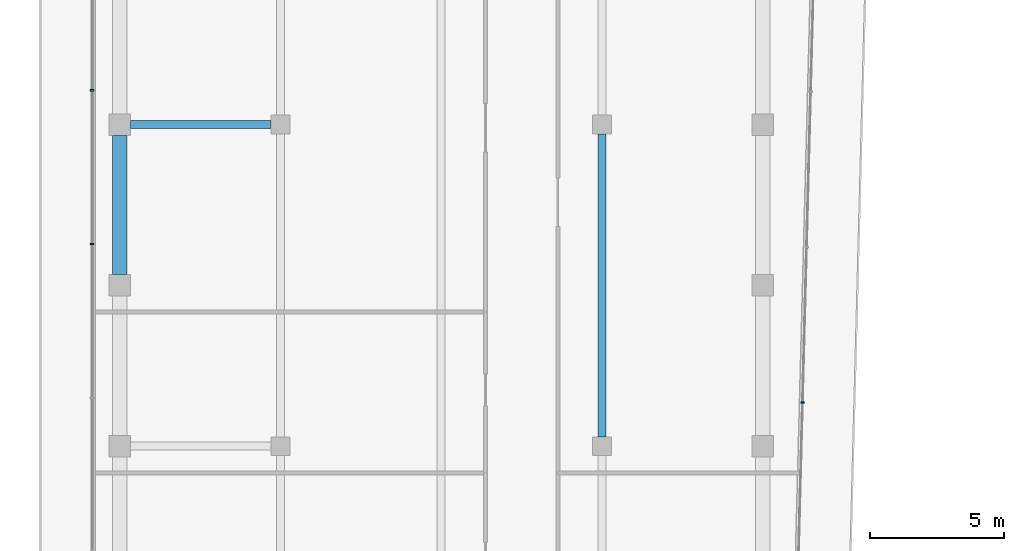
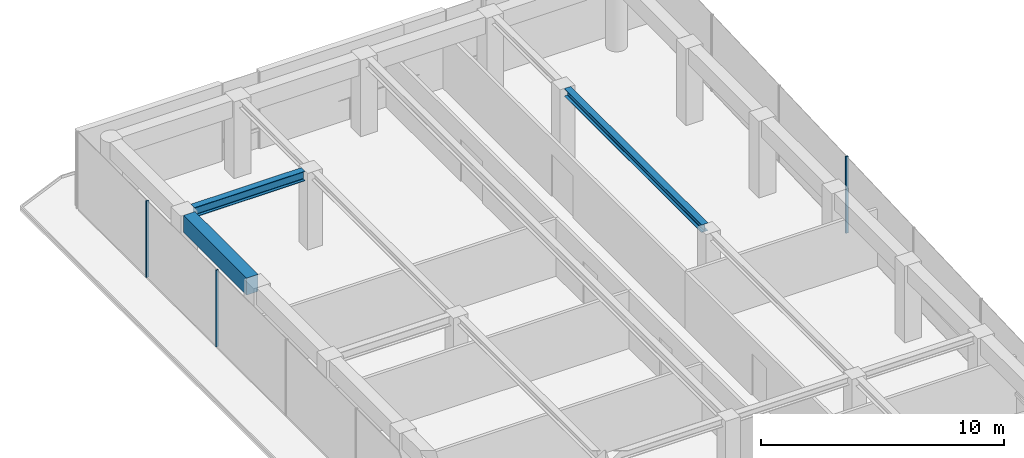
# One storey, part 11 of 19: 3 beams, 3 members, 2 elements without a shape of their own.
"""IFC4 building model written with IfcOpenShell, lengths in metres."""

from ifc_helpers import new_model, si_unit, direction, frame, origin, origin_2d, place, context, subcontext, project, spatial, rectangle, i_section, extrude, material, layer, layer_set, material_profile, profile_set, type_object, element, aggregate, save


model = new_model("IFC4")

# Units and contexts
model_context = context("Model", 3, precision=1e-05, world=origin(), true_north=direction((0.0, 1.0)))
body_context = subcontext(model_context, "Body", "Model", "MODEL_VIEW")
ifc_project = project(units=[si_unit("LENGTHUNIT", "METRE"), si_unit("AREAUNIT", "SQUARE_METRE"), si_unit("VOLUMEUNIT", "CUBIC_METRE"), si_unit("PLANEANGLEUNIT", "RADIAN"), si_unit("MASSUNIT", "GRAM", prefix="KILO")], contexts=[model_context])

# Site, building, storey
site_placement = place(None, origin())
site = spatial("IfcSite", under=ifc_project, at=site_placement, CompositionType="ELEMENT")
building_placement = place(site_placement, origin())
building = spatial("IfcBuilding", under=site, at=building_placement, Name="Welwitschia Terrace Campus", CompositionType="ELEMENT")
storey_placement = place(building_placement, frame((0.0, 0.0, 234.800048828125)))
storey = spatial("IfcBuildingStorey", under=building, at=storey_placement, Name="L52", CompositionType="ELEMENT", Elevation=234.800048828125)

# Beam
ifc_material_1 = material(Name="Steel S355", Category="steel")
ifc_material_profile_1 = material_profile(ifc_material_1, i_section(OverallWidth=0.300048828125, OverallDepth=0.389892578125, WebThickness=0.010986328125, FlangeThickness=0.01904296875, FilletRadius=0.027099609375, at=origin_2d()))
ifc_profile_set_1 = profile_set([ifc_material_profile_1], Name="Steel S355")
beam_type_1 = type_object("IfcBeamType", Name="Interior girder HE 400 A", PredefinedType="BEAM", material=ifc_profile_set_1)
beam_1_placement = place(storey_placement, frame((18.0, 52.3505859375, 3.655029296875), z_axis=(0.0, 1.0, 0.0), x_axis=(-1.0, 0.0, 0.0)))
element("IfcBeam", 1, at=beam_1_placement, inside=storey, type_object=beam_type_1, Name="Girder GB5", PredefinedType="BEAM", context=body_context, shape_type="SweptSolid", body=[
    extrude(i_section(OverallWidth=0.300048828125, OverallDepth=0.389892578125, WebThickness=0.010986328125, FlangeThickness=0.01904296875, FilletRadius=0.027099609375, at=origin_2d()), origin(), (0.0, 0.0, 1.0), 11.298828125),
])

# Curtain wall, members
ifc_material_2 = material(Name="Bronze anodised aluminium", Category="aluminium")
ifc_layer = layer(ifc_material_2, 0.1201171875)
ifc_layer_set = layer_set([ifc_layer], Name="Bronze anodised aluminium")
curtain_wall_type = type_object("IfcCurtainWallType", Name="Curtain wall CW2 tower 6000", PredefinedType="NOTDEFINED", material=ifc_layer_set)
curtain_wall_1_placement = place(storey_placement, origin())
curtain_wall_1 = element("IfcCurtainWall", 2, at=curtain_wall_1_placement, inside=storey, type_object=curtain_wall_type, Name="CW L52.0.0", PredefinedType="NOTDEFINED")
ifc_material_3 = material(Name="Bronze anodised aluminium", Category="aluminium")
ifc_material_profile_2 = material_profile(ifc_material_3, rectangle(XDim=0.1201171875, YDim=0.06005859375, at=origin_2d()))
ifc_profile_set_2 = profile_set([ifc_material_profile_2], Name="Bronze anodised aluminium")
member_type = type_object("IfcMemberType", Name="Mullion 60x120", PredefinedType="MULLION", material=ifc_profile_set_2)
member_1_placement = place(storey_placement, frame((-1.030029296875, 65.28076171875, 0.0), z_axis=(0.0, 0.0, 1.0), x_axis=(1.0, 0.0, 0.0)))
member_1 = element("IfcMember", 3, at=member_1_placement, type_object=member_type, Name="Mullion L52.0.0.1", PredefinedType="MULLION", context=body_context, shape_type="SweptSolid", body=[
    extrude(rectangle(XDim=0.1201171875, YDim=0.06005859375, at=origin_2d()), origin(), (0.0, 0.0, 1.0), 3.849853515625),
])
member_2_placement = place(storey_placement, frame((-1.030029296875, 59.54150390625, 0.0), z_axis=(0.0, 0.0, 1.0), x_axis=(1.0, 0.0, 0.0)))
member_2 = element("IfcMember", 4, at=member_2_placement, type_object=member_type, Name="Mullion L52.0.0.2", PredefinedType="MULLION", context=body_context, shape_type="SweptSolid", body=[
    extrude(rectangle(XDim=0.1201171875, YDim=0.06005859375, at=origin_2d()), origin(), (0.0, 0.0, 1.0), 3.849853515625),
])
aggregate(curtain_wall_1, [member_1, member_2])

# Curtain wall, member
curtain_wall_2_placement = place(storey_placement, origin())
curtain_wall_2 = element("IfcCurtainWall", 5, at=curtain_wall_2_placement, inside=storey, type_object=curtain_wall_type, Name="CW L52.9.0", PredefinedType="NOTDEFINED")
member_3_placement = place(storey_placement, frame((25.4853515625, 53.63671875, 0.0), z_axis=(0.0, 0.0, 1.0), x_axis=(-0.999657324976, 0.026176948308, 0.0)))
member_3 = element("IfcMember", 6, at=member_3_placement, type_object=member_type, Name="Mullion L52.9.0.3", PredefinedType="MULLION", context=body_context, shape_type="SweptSolid", body=[
    extrude(rectangle(XDim=0.1201171875, YDim=0.06005859375, at=origin_2d()), origin(), (0.0, 0.0, 1.0), 3.849853515625),
])
aggregate(curtain_wall_2, [member_3])

# Beams
ifc_material_4 = material(Name="Steel S355", Category="steel")
ifc_material_profile_3 = material_profile(ifc_material_4, i_section(OverallWidth=0.300048828125, OverallDepth=0.489990234375, WebThickness=0.011962890625, FlangeThickness=0.02294921875, FilletRadius=0.027099609375, at=origin_2d()))
ifc_profile_set_3 = profile_set([ifc_material_profile_3], Name="Steel S355")
beam_type_2 = type_object("IfcBeamType", Name="Primary beam HE 500 A", PredefinedType="BEAM", material=ifc_profile_set_3)
beam_2_placement = place(storey_placement, frame((0.400390625, 64.0, 3.60498046875), z_axis=(1.0, 0.0, 0.0), x_axis=(0.0, 1.0, 0.0)))
element("IfcBeam", 7, at=beam_2_placement, inside=storey, type_object=beam_type_2, Name="Primary beam PB5", PredefinedType="BEAM", context=body_context, shape_type="SweptSolid", body=[
    extrude(i_section(OverallWidth=0.300048828125, OverallDepth=0.489990234375, WebThickness=0.011962890625, FlangeThickness=0.02294921875, FilletRadius=0.027099609375, at=origin_2d()), origin(), (0.0, 0.0, 1.0), 5.2490234375),
])
ifc_material_5 = material(Name="Concrete C50/60", Category="concrete")
ifc_material_profile_4 = material_profile(ifc_material_5, rectangle(XDim=0.550048828125, YDim=0.85009765625, at=origin_2d()))
ifc_profile_set_4 = profile_set([ifc_material_profile_4], Name="Concrete C50/60")
beam_type_3 = type_object("IfcBeamType", Name="Ring spandrel 550x850", PredefinedType="SPANDREL", material=ifc_profile_set_4)
beam_3_placement = place(storey_placement, frame((0.0, 63.599609375, 3.425048828125), z_axis=(0.0, -1.0, 0.0), x_axis=(1.0, 0.0, 0.0)))
element("IfcBeam", 8, at=beam_3_placement, inside=storey, type_object=beam_type_3, Name="Spandrel SP3", PredefinedType="SPANDREL", context=body_context, shape_type="SweptSolid", body=[
    extrude(rectangle(XDim=0.550048828125, YDim=0.85009765625, at=origin_2d()), origin(), (0.0, 0.0, 1.0), 5.19921875),
])

save(model, "model.ifc")
